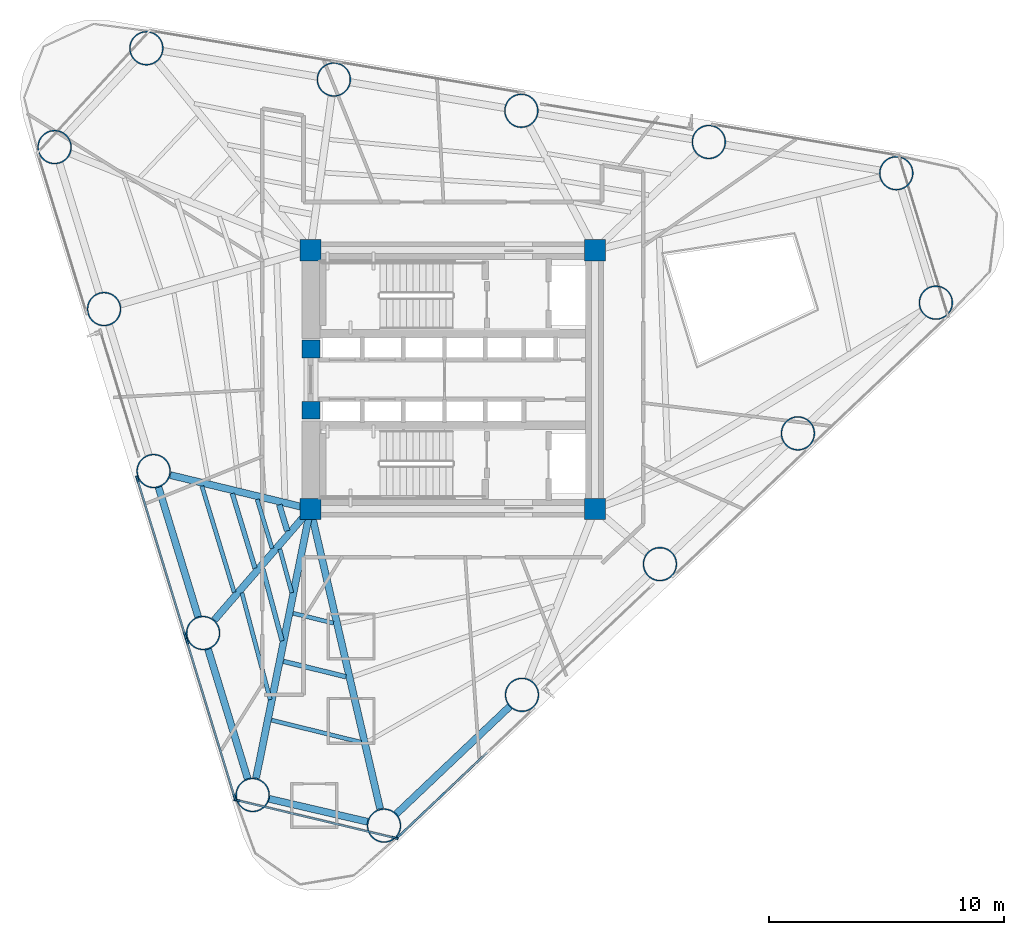
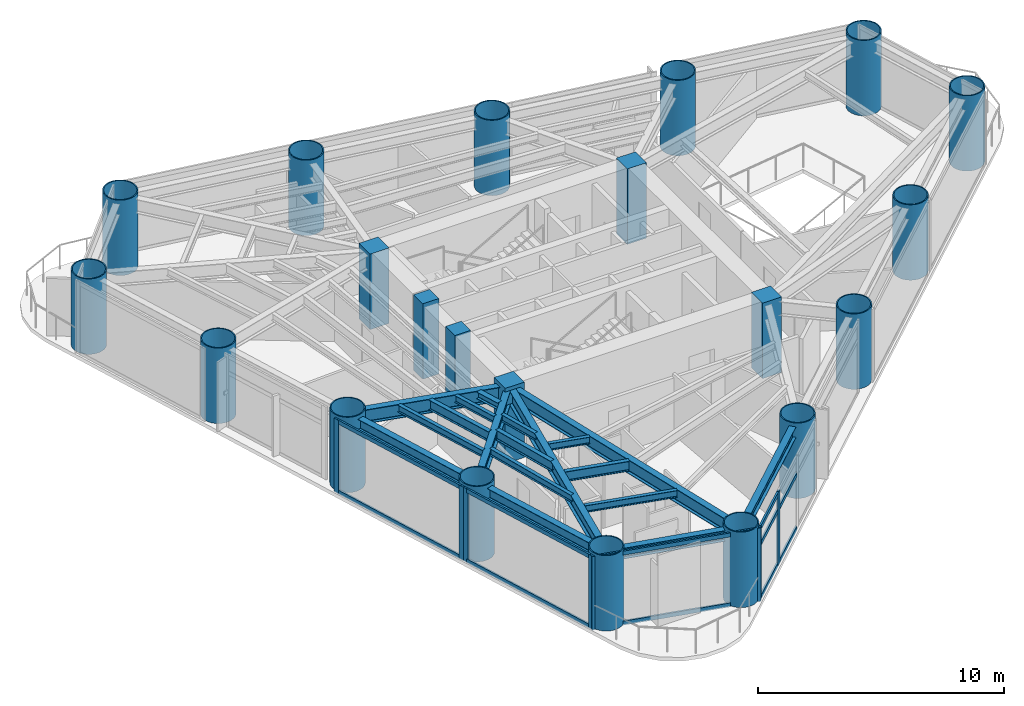
# One storey, part 1 of 10: 21 columns, 19 members, 18 beams, 4 elements without a shape of their own.
"""IFC4 building model written with IfcOpenShell, lengths in metres."""

import ifcopenshell
import ifcopenshell.guid

model = None  # the IFC model being written
_history = None  # IfcOwnerHistory: only IFC2X3 demands one
_inside = {}  # id of a spatial element -> (the spatial element, [elements in it])
_under = {}  # id of a project, library or spatial element -> (it, [spatial elements below it])
_declared = {}  # id of a project -> (the project, [libraries it declares])
_typed = {}  # id of a type object -> (the type object, [elements of that type])
_made_of = {}  # id of a material, layer set ... -> (it, [elements and type objects made of it])


def new_model(schema):
    """Start an empty IFC model of exactly this schema.

    Asked for "IFC4X3", IfcOpenShell would pick the latest addendum, in which some entities
    have other attributes; the version numbers below select the first issue.
    IFC2X3 requires an IfcOwnerHistory on every rooted entity: one is made here for all.
    """
    global model, _history
    if schema == "IFC4X3":
        model = ifcopenshell.file(schema_version=(4, 3, 0, 0))
    else:
        model = ifcopenshell.file(schema=schema)
    _inside.clear()
    _under.clear()
    _declared.clear()
    _typed.clear()
    _made_of.clear()
    _history = None
    if model.schema == "IFC2X3":
        org = make("IfcOrganization", Name="unknown")
        user = make(
            "IfcPersonAndOrganization",
            ThePerson=make("IfcPerson", FamilyName="unknown"),
            TheOrganization=org,
        )
        app = make(
            "IfcApplication",
            ApplicationDeveloper=org,
            Version="unknown",
            ApplicationFullName="unknown",
            ApplicationIdentifier="unknown",
        )
        _history = make(
            "IfcOwnerHistory",
            OwningUser=user,
            OwningApplication=app,
            ChangeAction="ADDED",
            CreationDate=0,
        )
    return model


def make(cls, **values):
    """One entity of the class cls with the attributes given. An attribute that is None is left unset."""
    return model.create_entity(
        cls, **{name: value for name, value in values.items() if value is not None}
    )


def rooted(cls, **values):
    """An entity with a GlobalId (a new one), such as an element, a storey or a relation."""
    return make(cls, GlobalId=ifcopenshell.guid.new(), OwnerHistory=_history, **values)


def si_unit(unit_type, name, prefix=None):
    """IfcSIUnit, for example si_unit("LENGTHUNIT", "METRE", prefix="MILLI")."""
    return make("IfcSIUnit", UnitType=unit_type, Prefix=prefix, Name=name)


def assignment(units):
    """IfcUnitAssignment: the units of a project."""
    return None if units is None else make("IfcUnitAssignment", Units=units)


def point(xyz):
    """IfcCartesianPoint."""
    return None if xyz is None else make("IfcCartesianPoint", Coordinates=xyz)


def direction(xyz):
    """IfcDirection."""
    return None if xyz is None else make("IfcDirection", DirectionRatios=xyz)


def frame(location, z_axis=None, x_axis=None):
    """IfcAxis2Placement3D, a coordinate frame: its origin and axes. An axis left out is left unset."""
    return make(
        "IfcAxis2Placement3D",
        Location=point(location),
        Axis=direction(z_axis),
        RefDirection=direction(x_axis),
    )


def frame_2d(location, x_axis=None):
    """IfcAxis2Placement2D, a coordinate frame in the plane: its origin and x axis."""
    return make(
        "IfcAxis2Placement2D", Location=point(location), RefDirection=direction(x_axis)
    )


def origin():
    """The frame at (0, 0, 0) with its axes left unset."""
    return frame((0.0, 0.0, 0.0))


def origin_2d():
    """The frame at (0, 0) in the plane with its x axis left unset."""
    return frame_2d((0.0, 0.0))


def place(relative_to, where):
    """IfcLocalPlacement: puts the frame where relative to a parent placement (None: the world)."""
    return make(
        "IfcLocalPlacement", PlacementRelTo=relative_to, RelativePlacement=where
    )


def context(
    kind, dimensions, precision=None, world=None, true_north=None, identifier=None
):
    """IfcGeometricRepresentationContext, for example the 3D "Model" context."""
    return make(
        "IfcGeometricRepresentationContext",
        ContextIdentifier=identifier,
        ContextType=kind,
        CoordinateSpaceDimension=dimensions,
        Precision=precision,
        WorldCoordinateSystem=world,
        TrueNorth=true_north,
    )


def subcontext(parent, identifier, kind, view, scale=None):
    """IfcGeometricRepresentationSubContext, for example "Body" below "Model"."""
    return make(
        "IfcGeometricRepresentationSubContext",
        ContextIdentifier=identifier,
        ContextType=kind,
        ParentContext=parent,
        TargetScale=scale,
        TargetView=view,
    )


def project(units=None, contexts=None):
    """IfcProject with its units and contexts."""
    return rooted(
        "IfcProject",
        Name="project",
        RepresentationContexts=contexts,
        UnitsInContext=assignment(units),
    )


def spatial(cls, under=None, at=None, **own):
    """A site, building, storey or space (cls), placed at a placement, below another one or the project."""
    s = rooted(cls, ObjectPlacement=at, **own)
    if under is not None:
        _under.setdefault(under.id(), (under, []))[1].append(s)
    return s


def profile(cls, at=None, kind="AREA", **sizes):
    """A parametric profile (cls). Its sizes go by their IFC names, for example OverallWidth=200.0."""
    return make(cls, ProfileType=kind, Position=at, **sizes)


def rectangle(**sizes):
    """IfcRectangleProfileDef."""
    return profile("IfcRectangleProfileDef", **sizes)


def hollow_circle(**sizes):
    """IfcCircleHollowProfileDef."""
    return profile("IfcCircleHollowProfileDef", **sizes)


def i_section(**sizes):
    """IfcIShapeProfileDef."""
    return profile("IfcIShapeProfileDef", **sizes)


def extrude(swept, where, along, depth):
    """IfcExtrudedAreaSolid: the profile swept, set in the frame where, extruded along a direction by depth."""
    return make(
        "IfcExtrudedAreaSolid",
        SweptArea=swept,
        Position=where,
        ExtrudedDirection=direction(along),
        Depth=depth,
    )


def shape(context_of_items, identifier, shape_type, items):
    """IfcShapeRepresentation: the items that make up one representation, for example the "Body"."""
    return make(
        "IfcShapeRepresentation",
        ContextOfItems=context_of_items,
        RepresentationIdentifier=identifier,
        RepresentationType=shape_type,
        Items=items,
    )


def source(mapping_origin, context_of_items, identifier, shape_type, items):
    """IfcRepresentationMap: a shape defined once, which mapped items show again and again."""
    return make(
        "IfcRepresentationMap",
        MappingOrigin=mapping_origin,
        MappedRepresentation=shape(context_of_items, identifier, shape_type, items),
    )


def transform(
    local_origin,
    x_axis=None,
    y_axis=None,
    z_axis=None,
    scale=None,
    scale2=None,
    scale3=None,
    uniform=True,
):
    """IfcCartesianTransformationOperator3D, or its non-uniform kind. x_axis, y_axis, z_axis: its Axis1, 2, 3."""
    if uniform:
        return make(
            "IfcCartesianTransformationOperator3D",
            Axis1=direction(x_axis),
            Axis2=direction(y_axis),
            LocalOrigin=point(local_origin),
            Scale=scale,
            Axis3=direction(z_axis),
        )
    return make(
        "IfcCartesianTransformationOperator3DnonUniform",
        Axis1=direction(x_axis),
        Axis2=direction(y_axis),
        LocalOrigin=point(local_origin),
        Scale=scale,
        Axis3=direction(z_axis),
        Scale2=scale2,
        Scale3=scale3,
    )


def mapped(mapping_source, mapping_target):
    """IfcMappedItem: shows the shape of a source again, moved by a transform."""
    return make(
        "IfcMappedItem", MappingSource=mapping_source, MappingTarget=mapping_target
    )


def material(Name=None, Category=None):
    """IfcMaterial."""
    return make("IfcMaterial", Name=Name, Category=Category)


def layer(
    of_material, thickness, ventilated=None, Name=None, Category=None, Priority=None
):
    """IfcMaterialLayer: one layer of a wall or slab, of a material (None: an air gap)."""
    return make(
        "IfcMaterialLayer",
        Material=of_material,
        LayerThickness=thickness,
        IsVentilated=ventilated,
        Name=Name,
        Category=Category,
        Priority=Priority,
    )


def layer_set(layers, Name=None):
    """IfcMaterialLayerSet."""
    return make("IfcMaterialLayerSet", MaterialLayers=layers, LayerSetName=Name)


def material_profile(
    of_material, cross_section, Name=None, Category=None, Priority=None
):
    """IfcMaterialProfile: a cross section and its material."""
    return make(
        "IfcMaterialProfile",
        Name=Name,
        Material=of_material,
        Profile=cross_section,
        Priority=Priority,
        Category=Category,
    )


def profile_set(profiles, Name=None, composite=None):
    """IfcMaterialProfileSet."""
    return make(
        "IfcMaterialProfileSet",
        Name=Name,
        MaterialProfiles=profiles,
        CompositeProfile=composite,
    )


def made_of(thing, what):
    """Note that an element or type object is made of a material, layer set ...; save() writes the relation."""
    if what is not None:
        _made_of.setdefault(what.id(), (what, []))[1].append(thing)
    return thing


def type_object(cls, material=None, **own):
    """A type object (cls), such as IfcWallType, which elements share."""
    return made_of(rooted(cls, **own), material)


def element(
    cls,
    number,
    at=None,
    inside=None,
    cuts=None,
    type_object=None,
    material=None,
    context=None,
    identifier="Body",
    shape_type=None,
    held_by="IfcProductDefinitionShape",
    body=None,
    shapes=None,
    **own,
):
    """One element of the class cls, such as IfcWall. Its Tag is "e" and its number.

    at: its placement. inside: the storey or other place that contains it. cuts: it is an
    opening in that element (IfcRelVoidsElement). A single representation is given by context,
    identifier, shape_type and body (its items); several are given by shapes. held_by: the class
    of the entity that holds the representations. save() writes the other relations.
    """
    e = rooted(cls, Tag="e%d" % number, ObjectPlacement=at, **own)
    if body is not None:
        shapes = [shape(context, identifier, shape_type, body)]
    if shapes is not None:
        e.Representation = make(held_by, Representations=shapes)
    if inside is not None:
        _inside.setdefault(inside.id(), (inside, []))[1].append(e)
    if cuts is not None:
        rooted(
            "IfcRelVoidsElement", RelatingBuildingElement=cuts, RelatedOpeningElement=e
        )
    if type_object is not None:
        _typed.setdefault(type_object.id(), (type_object, []))[1].append(e)
    return made_of(e, material)


def aggregate(whole, parts):
    """IfcRelAggregates: a whole, such as a stair, and the parts it consists of."""
    return rooted("IfcRelAggregates", RelatingObject=whole, RelatedObjects=parts)


def save(model, path):
    """Write the relations noted so far, then the file.

    IfcRelAggregates (storeys below a building ...), IfcRelContainedInSpatialStructure (elements
    in a storey), IfcRelDefinesByType, IfcRelAssociatesMaterial and IfcRelDeclares: one each for
    every whole, place, type object, material and project.
    """
    for whole, parts in _under.values():
        aggregate(whole, parts)
    for where, things in _inside.values():
        rooted(
            "IfcRelContainedInSpatialStructure",
            RelatedElements=things,
            RelatingStructure=where,
        )
    for kind, things in _typed.values():
        rooted("IfcRelDefinesByType", RelatedObjects=things, RelatingType=kind)
    for what, things in _made_of.values():
        rooted("IfcRelAssociatesMaterial", RelatedObjects=things, RelatingMaterial=what)
    for by, libraries in _declared.values():
        rooted("IfcRelDeclares", RelatingContext=by, RelatedDefinitions=libraries)
    model.write(path)


model = new_model("IFC4")

# Units and contexts
model_context = context("Model", 3, precision=1e-05, world=origin(), true_north=direction((0.0, 1.0)))
body_context = subcontext(model_context, "Body", "Model", "MODEL_VIEW")
ifc_project = project(units=[si_unit("LENGTHUNIT", "METRE"), si_unit("AREAUNIT", "SQUARE_METRE"), si_unit("VOLUMEUNIT", "CUBIC_METRE"), si_unit("PLANEANGLEUNIT", "RADIAN"), si_unit("MASSUNIT", "GRAM", prefix="KILO")], contexts=[model_context])

# Site, building, storey
site_placement = place(None, origin())
site = spatial("IfcSite", under=ifc_project, at=site_placement, CompositionType="ELEMENT")
building_placement = place(site_placement, origin())
building = spatial("IfcBuilding", under=site, at=building_placement, Name="Yunling Apex Tower", CompositionType="ELEMENT")
storey_placement = place(building_placement, frame((0.0, 0.0, 104.89990234375)))
storey = spatial("IfcBuildingStorey", under=building, at=storey_placement, Name="L26", CompositionType="ELEMENT", Elevation=104.89990234375)

# Columns
ifc_material_1 = material(Name="Concrete C60", Category="concrete")
ifc_material_profile_1 = material_profile(ifc_material_1, rectangle(XDim=0.89990234375, YDim=0.89990234375, at=origin_2d()))
ifc_profile_set_1 = profile_set([ifc_material_profile_1], Name="Concrete C60")
column_type_1 = type_object("IfcColumnType", Name="PC-SRC-3", PredefinedType="COLUMN", material=ifc_profile_set_1)
shared_shape_1 = source(origin(), body_context, "Body", "SweptSolid", [
    extrude(rectangle(XDim=0.89990234375, YDim=0.89990234375, at=origin_2d()), origin(), (0.0, 0.0, 1.0), 3.75),
])
for number, where, z_axis, x_axis, name in (
    (1, (-6.050048828125, -5.5, 0.0), (0.0, 0.0, 1.0), (1.0, 0.0, 0.0), "L26 Core Spine Column CC-SW"),
    (2, (6.050048828125, -5.5, 0.0), (0.0, 0.0, 1.0), (1.0, 0.0, 0.0), "L26 Core Spine Column CC-SE"),
    (3, (6.050048828125, 5.5, 0.0), (0.0, 0.0, 1.0), (1.0, 0.0, 0.0), "L26 Core Spine Column CC-NE"),
    (4, (-6.050048828125, 5.5, 0.0), (0.0, 0.0, 1.0), (1.0, 0.0, 0.0), "L26 Core Spine Column CC-NW"),
):
    element("IfcColumn", number, at=place(storey_placement, frame(where, z_axis=z_axis, x_axis=x_axis)), inside=storey, type_object=column_type_1, Name=name, PredefinedType="COLUMN", context=body_context, shape_type="MappedRepresentation", body=[
        mapped(shared_shape_1, transform((0.0, 0.0, 0.0), scale=1.0)),
    ])
ifc_material_2 = material(Name="Concrete C50", Category="concrete")
ifc_material_profile_2 = material_profile(ifc_material_2, rectangle(XDim=0.75, YDim=0.75, at=origin_2d()))
ifc_profile_set_2 = profile_set([ifc_material_profile_2], Name="Concrete C50")
column_type_2 = type_object("IfcColumnType", Name="PC-SRC-4", PredefinedType="COLUMN", material=ifc_profile_set_2)
shared_shape_2 = source(origin(), body_context, "Body", "SweptSolid", [
    extrude(rectangle(XDim=0.75, YDim=0.75, at=origin_2d()), origin(), (0.0, 0.0, 1.0), 3.75),
])
for number, where, z_axis, x_axis, name in (
    (5, (-6.02490234375, -1.300048828125, 0.0), (0.0, 0.0, 1.0), (1.0, 0.0, 0.0), "L26 Core West Portal Jamb Column S"),
    (6, (-6.02490234375, 1.300048828125, 0.0), (0.0, 0.0, 1.0), (1.0, 0.0, 0.0), "L26 Core West Portal Jamb Column N"),
):
    element("IfcColumn", number, at=place(storey_placement, frame(where, z_axis=z_axis, x_axis=x_axis)), inside=storey, type_object=column_type_2, Name=name, PredefinedType="COLUMN", context=body_context, shape_type="MappedRepresentation", body=[
        mapped(shared_shape_2, transform((0.0, 0.0, 0.0), scale=1.0)),
    ])
ifc_material_3 = material(Name="Steel Q390GJC", Category="steel")
ifc_material_profile_3 = material_profile(ifc_material_3, hollow_circle(Radius=0.72509765625, WallThickness=0.050048828125, at=origin_2d()))
ifc_profile_set_3 = profile_set([ifc_material_profile_3], Name="Steel Q390GJC")
column_type_3 = type_object("IfcColumnType", Name="MC-CFST-2", PredefinedType="COLUMN", material=ifc_profile_set_3)
shared_shape_3 = source(origin(), body_context, "Body", "SweptSolid", [
    extrude(hollow_circle(Radius=0.72509765625, WallThickness=0.050048828125, at=origin_2d()), origin(), (0.0, 0.0, 1.0), 3.75),
])
for number, where, z_axis, x_axis, name in (
    (7, (-2.92138671875, -18.960205078125, 0.0), (0.0, 0.0, 1.0), (1.0, 0.0, 0.0), "L26 Perimeter CFST Mega-Column P01"),
    (8, (2.943359375, -13.40234375, 0.0), (0.0, 0.0, 1.0), (1.0, 0.0, 0.0), "L26 Perimeter CFST Mega-Column P02"),
    (9, (8.80810546875, -7.8447265625, 0.0), (0.0, 0.0, 1.0), (1.0, 0.0, 0.0), "L26 Perimeter CFST Mega-Column P03"),
    (10, (14.6728515625, -2.287109375, 0.0), (0.0, 0.0, 1.0), (1.0, 0.0, 0.0), "L26 Perimeter CFST Mega-Column P04"),
    (11, (20.53759765625, 3.2705078125, 0.0), (0.0, 0.0, 1.0), (1.0, 0.0, 0.0), "L26 Perimeter CFST Mega-Column P05"),
    (12, (18.855224609375, 8.77294921875, 0.0), (0.0, 0.0, 1.0), (1.0, 0.0, 0.0), "L26 Perimeter CFST Mega-Column P06"),
    (13, (10.88525390625, 10.10107421875, 0.0), (0.0, 0.0, 1.0), (1.0, 0.0, 0.0), "L26 Perimeter CFST Mega-Column P07"),
    (14, (2.915283203125, 11.428955078125, 0.0), (0.0, 0.0, 1.0), (1.0, 0.0, 0.0), "L26 Perimeter CFST Mega-Column P08"),
    (15, (-5.054443359375, 12.757080078125, 0.0), (0.0, 0.0, 1.0), (1.0, 0.0, 0.0), "L26 Perimeter CFST Mega-Column P09"),
    (16, (-13.0244140625, 14.0849609375, 0.0), (0.0, 0.0, 1.0), (1.0, 0.0, 0.0), "L26 Perimeter CFST Mega-Column P10"),
    (17, (-16.927490234375, 9.88330078125, 0.0), (0.0, 0.0, 1.0), (1.0, 0.0, 0.0), "L26 Perimeter CFST Mega-Column P11"),
    (18, (-14.822509765625, 2.99755859375, 0.0), (0.0, 0.0, 1.0), (1.0, 0.0, 0.0), "L26 Perimeter CFST Mega-Column P12"),
    (19, (-12.71728515625, -3.887939453125, 0.0), (0.0, 0.0, 1.0), (1.0, 0.0, 0.0), "L26 Perimeter CFST Mega-Column P13"),
    (20, (-10.612060546875, -10.773681640625, 0.0), (0.0, 0.0, 1.0), (1.0, 0.0, 0.0), "L26 Perimeter CFST Mega-Column P14"),
    (21, (-8.5068359375, -17.6591796875, 0.0), (0.0, 0.0, 1.0), (1.0, 0.0, 0.0), "L26 Perimeter CFST Mega-Column P15"),
):
    element("IfcColumn", number, at=place(storey_placement, frame(where, z_axis=z_axis, x_axis=x_axis)), inside=storey, type_object=column_type_3, Name=name, PredefinedType="COLUMN", context=body_context, shape_type="MappedRepresentation", body=[
        mapped(shared_shape_3, transform((0.0, 0.0, 0.0), scale=1.0)),
    ])

# Beams
ifc_material_4 = material(Name="Steel Q355B", Category="steel")
ifc_material_profile_4 = material_profile(ifc_material_4, i_section(OverallWidth=0.300048828125, OverallDepth=0.5400390625, WebThickness=0.011962890625, FlangeThickness=0.02001953125, FilletRadius=0.02392578125, at=origin_2d()))
ifc_profile_set_4 = profile_set([ifc_material_profile_4], Name="Steel Q355B")
beam_type_1 = type_object("IfcBeamType", Name="BP-SPN-1", PredefinedType="SPANDREL", material=ifc_profile_set_4)
shared_shape_4 = source(origin(), body_context, "Body", "SweptSolid", [
    extrude(i_section(OverallWidth=0.300048828125, OverallDepth=0.5400390625, WebThickness=0.011962890625, FlangeThickness=0.02001953125, FilletRadius=0.02392578125, at=origin_2d()), origin(), (0.0, 0.0, 1.0), 6.6416015625),
])
beam_1_placement = place(storey_placement, frame((-2.3994140625, -18.465576171875, 3.295166015625), z_axis=(0.725837728974, 0.68786596892, 0.0), x_axis=(-0.68786596892, 0.725837728974, 0.0)))
element("IfcBeam", 22, at=beam_1_placement, inside=storey, type_object=beam_type_1, Name="L26 Perimeter Spandrel Beam 1", PredefinedType="SPANDREL", context=body_context, shape_type="MappedRepresentation", body=[
    mapped(shared_shape_4, transform((0.0, 0.0, 0.0), scale=1.0)),
])
shared_shape_5 = source(origin(), body_context, "Body", "SweptSolid", [
    extrude(i_section(OverallWidth=0.300048828125, OverallDepth=0.5400390625, WebThickness=0.011962890625, FlangeThickness=0.02001953125, FilletRadius=0.02392578125, at=origin_2d()), origin(), (0.0, 0.0, 1.0), 5.76220703125),
])
for number, where, z_axis, x_axis, name in (
    (23, (-12.507080078125, -4.57568359375, 3.295166015625), (0.292385374143, -0.956300576695, 0.0), (0.956300576695, 0.292385374143, 0.0), "L26 Perimeter Spandrel Beam 13"),
    (24, (-10.40185546875, -11.461181640625, 3.295166015625), (0.292385374143, -0.956300576695, 0.0), (0.956300576695, 0.292385374143, 0.0), "L26 Perimeter Spandrel Beam 14"),
):
    element("IfcBeam", number, at=place(storey_placement, frame(where, z_axis=z_axis, x_axis=x_axis)), inside=storey, type_object=beam_type_1, Name=name, PredefinedType="SPANDREL", context=body_context, shape_type="MappedRepresentation", body=[
        mapped(shared_shape_5, transform((0.0, 0.0, 0.0), scale=1.0)),
    ])
shared_shape_6 = source(origin(), body_context, "Body", "SweptSolid", [
    extrude(i_section(OverallWidth=0.300048828125, OverallDepth=0.5400390625, WebThickness=0.011962890625, FlangeThickness=0.02001953125, FilletRadius=0.02392578125, at=origin_2d()), origin(), (0.0, 0.0, 1.0), 4.297119140625),
])
beam_2_placement = place(storey_placement, frame((-7.806640625, -17.822509765625, 3.295166015625), z_axis=(0.973939184954, -0.226809312002, 0.0), x_axis=(0.226809312002, 0.973939184954, 0.0)))
element("IfcBeam", 25, at=beam_2_placement, inside=storey, type_object=beam_type_1, Name="L26 Perimeter Spandrel Beam 15", PredefinedType="SPANDREL", context=body_context, shape_type="MappedRepresentation", body=[
    mapped(shared_shape_6, transform((0.0, 0.0, 0.0), scale=1.0)),
])
ifc_material_profile_5 = material_profile(ifc_material_4, i_section(OverallWidth=0.300048828125, OverallDepth=0.699951171875, WebThickness=0.012939453125, FlangeThickness=0.02392578125, FilletRadius=0.02587890625, at=origin_2d()))
ifc_profile_set_5 = profile_set([ifc_material_profile_5], Name="Steel Q355B")
beam_type_2 = type_object("IfcBeamType", Name="BG-PRI-3", PredefinedType="USERDEFINED", material=ifc_profile_set_5)
shared_shape_7 = source(origin(), body_context, "Body", "SweptSolid", [
    extrude(i_section(OverallWidth=0.300048828125, OverallDepth=0.699951171875, WebThickness=0.012939453125, FlangeThickness=0.02392578125, FilletRadius=0.02587890625, at=origin_2d()), origin(), (0.0, 0.0, 1.0), 13.005859375),
])
beam_3_placement = place(storey_placement, frame((-3.08740234375, -18.24609375, 3.215087890625), z_axis=(-0.226402915749, 0.974033736449, 0.0), x_axis=(-0.974033736449, -0.226402915749, 0.0)))
element("IfcBeam", 26, at=beam_3_placement, inside=storey, type_object=beam_type_2, Name="L26 Radial Primary Girder R01", ObjectType="GIRDER", PredefinedType="USERDEFINED", context=body_context, shape_type="MappedRepresentation", body=[
    mapped(shared_shape_7, transform((0.0, 0.0, 0.0), scale=1.0)),
])
shared_shape_8 = source(origin(), body_context, "Body", "SweptSolid", [
    extrude(i_section(OverallWidth=0.300048828125, OverallDepth=0.699951171875, WebThickness=0.012939453125, FlangeThickness=0.02392578125, FilletRadius=0.02587890625, at=origin_2d()), origin(), (0.0, 0.0, 1.0), 6.046630859375),
])
beam_4_placement = place(storey_placement, frame((-12.0048828125, -4.060302734375, 3.215087890625), z_axis=(0.971996717199, -0.234994429199, 0.0), x_axis=(0.234994429199, 0.971996717199, 0.0)))
element("IfcBeam", 27, at=beam_4_placement, inside=storey, type_object=beam_type_2, Name="L26 Radial Primary Girder R13", ObjectType="GIRDER", PredefinedType="USERDEFINED", context=body_context, shape_type="MappedRepresentation", body=[
    mapped(shared_shape_8, transform((0.0, 0.0, 0.0), scale=1.0)),
])
shared_shape_9 = source(origin(), body_context, "Body", "SweptSolid", [
    extrude(i_section(OverallWidth=0.300048828125, OverallDepth=0.699951171875, WebThickness=0.012939453125, FlangeThickness=0.02392578125, FilletRadius=0.02587890625, at=origin_2d()), origin(), (0.0, 0.0, 1.0), 6.16015625),
])
beam_5_placement = place(storey_placement, frame((-10.132568359375, -10.21923828125, 3.215087890625), z_axis=(0.654257326822, 0.756272008142, 0.0), x_axis=(-0.756272008142, 0.654257326822, 0.0)))
element("IfcBeam", 28, at=beam_5_placement, inside=storey, type_object=beam_type_2, Name="L26 Radial Primary Girder R14", ObjectType="GIRDER", PredefinedType="USERDEFINED", context=body_context, shape_type="MappedRepresentation", body=[
    mapped(shared_shape_9, transform((0.0, 0.0, 0.0), scale=1.0)),
])
shared_shape_10 = source(origin(), body_context, "Body", "SweptSolid", [
    extrude(i_section(OverallWidth=0.300048828125, OverallDepth=0.699951171875, WebThickness=0.012939453125, FlangeThickness=0.02392578125, FilletRadius=0.02587890625, at=origin_2d()), origin(), (0.0, 0.0, 1.0), 11.59228515625),
])
beam_6_placement = place(storey_placement, frame((-8.36181640625, -16.94091796875, 3.215087890625), z_axis=(0.198055775124, 0.980190751813, 0.0), x_axis=(-0.980190751813, 0.198055775124, 0.0)))
element("IfcBeam", 29, at=beam_6_placement, inside=storey, type_object=beam_type_2, Name="L26 Radial Primary Girder R15", ObjectType="GIRDER", PredefinedType="USERDEFINED", context=body_context, shape_type="MappedRepresentation", body=[
    mapped(shared_shape_10, transform((0.0, 0.0, 0.0), scale=1.0)),
])
ifc_material_profile_6 = material_profile(ifc_material_4, i_section(OverallWidth=0.199951171875, OverallDepth=0.5, WebThickness=0.010009765625, FlangeThickness=0.01611328125, FilletRadius=0.02001953125, at=origin_2d()))
ifc_profile_set_6 = profile_set([ifc_material_profile_6], Name="Steel Q355B")
beam_type_3 = type_object("IfcBeamType", Name="BS-SEC-2", PredefinedType="BEAM", material=ifc_profile_set_6)
shared_shape_11 = source(origin(), body_context, "Body", "SweptSolid", [
    extrude(i_section(OverallWidth=0.199951171875, OverallDepth=0.5, WebThickness=0.010009765625, FlangeThickness=0.01611328125, FilletRadius=0.02001953125, at=origin_2d()), origin(), (0.0, 0.0, 1.0), 3.321533203125),
])
beam_7_placement = place(storey_placement, frame((-9.372314453125, -4.838623046875, 3.315185546875), z_axis=(0.291000743066, -0.956722826912, 0.0), x_axis=(0.956722826912, 0.291000743066, 0.0)))
element("IfcBeam", 30, at=beam_7_placement, inside=storey, type_object=beam_type_3, Name="L26 Composite Floor Beam BS-13", PredefinedType="BEAM", context=body_context, shape_type="MappedRepresentation", body=[
    mapped(shared_shape_11, transform((0.0, 0.0, 0.0), scale=1.0)),
])
ifc_material_profile_7 = material_profile(ifc_material_4, i_section(OverallWidth=0.175048828125, OverallDepth=0.35009765625, WebThickness=0.007080078125, FlangeThickness=0.010986328125, FilletRadius=0.013916015625, at=origin_2d()))
ifc_profile_set_7 = profile_set([ifc_material_profile_7], Name="Steel Q355B")
beam_type_4 = type_object("IfcBeamType", Name="BJ-JST-1", PredefinedType="JOIST", material=ifc_profile_set_7)
shared_shape_12 = source(origin(), body_context, "Body", "SweptSolid", [
    extrude(i_section(OverallWidth=0.175048828125, OverallDepth=0.35009765625, WebThickness=0.007080078125, FlangeThickness=0.010986328125, FilletRadius=0.013916015625, at=origin_2d()), origin(), (0.0, 0.0, 1.0), 4.719482421875),
])
beam_8_placement = place(storey_placement, frame((-10.665283203125, -4.52587890625, 3.39013671875), z_axis=(0.290881649014, -0.95675904295, 0.0), x_axis=(0.95675904295, 0.290881649014, 0.0)))
element("IfcBeam", 31, at=beam_8_placement, inside=storey, type_object=beam_type_4, Name="L26 Composite Floor Joist BJ1-13", PredefinedType="JOIST", context=body_context, shape_type="MappedRepresentation", body=[
    mapped(shared_shape_12, transform((0.0, 0.0, 0.0), scale=1.0)),
])
shared_shape_13 = source(origin(), body_context, "Body", "SweptSolid", [
    extrude(i_section(OverallWidth=0.175048828125, OverallDepth=0.35009765625, WebThickness=0.007080078125, FlangeThickness=0.010986328125, FilletRadius=0.013916015625, at=origin_2d()), origin(), (0.0, 0.0, 1.0), 2.177734375),
])
beam_9_placement = place(storey_placement, frame((-8.314453125, -5.09423828125, 3.39013671875), z_axis=(0.291130389824, -0.956683383425, 0.0), x_axis=(0.956683383425, 0.291130389824, 0.0)))
element("IfcBeam", 32, at=beam_9_placement, inside=storey, type_object=beam_type_4, Name="L26 Composite Floor Joist BJ3-13", PredefinedType="JOIST", context=body_context, shape_type="MappedRepresentation", body=[
    mapped(shared_shape_13, transform((0.0, 0.0, 0.0), scale=1.0)),
])
ifc_material_profile_8 = material_profile(ifc_material_4, i_section(OverallWidth=0.25, OverallDepth=0.340087890625, WebThickness=0.009033203125, FlangeThickness=0.013916015625, FilletRadius=0.01806640625, at=origin_2d()))
ifc_profile_set_8 = profile_set([ifc_material_profile_8], Name="Steel Q355B")
beam_type_5 = type_object("IfcBeamType", Name="BJ-JST-2", PredefinedType="JOIST", material=ifc_profile_set_8)
shared_shape_14 = source(origin(), body_context, "Body", "SweptSolid", [
    extrude(i_section(OverallWidth=0.25, OverallDepth=0.340087890625, WebThickness=0.009033203125, FlangeThickness=0.013916015625, FilletRadius=0.01806640625, at=origin_2d()), origin(), (0.0, 0.0, 1.0), 1.160888671875),
])
beam_10_placement = place(storey_placement, frame((-7.3740234375, -5.32177734375, 3.39501953125), z_axis=(0.291454472577, -0.956584701119, 0.0), x_axis=(0.956584701119, 0.291454472577, 0.0)))
element("IfcBeam", 33, at=beam_10_placement, inside=storey, type_object=beam_type_5, Name="L26 Composite Floor Joist BJ2-13", PredefinedType="JOIST", context=body_context, shape_type="MappedRepresentation", body=[
    mapped(shared_shape_14, transform((0.0, 0.0, 0.0), scale=1.0)),
])
shared_shape_15 = source(origin(), body_context, "Body", "SweptSolid", [
    extrude(i_section(OverallWidth=0.199951171875, OverallDepth=0.5, WebThickness=0.010009765625, FlangeThickness=0.01611328125, FilletRadius=0.02001953125, at=origin_2d()), origin(), (0.0, 0.0, 1.0), 3.168701171875),
])
beam_11_placement = place(storey_placement, frame((-8.075927734375, -8.04443359375, 3.315185546875), z_axis=(0.259033901524, -0.965868230071, 0.0), x_axis=(0.965868230071, 0.259033901524, 0.0)))
element("IfcBeam", 34, at=beam_11_placement, inside=storey, type_object=beam_type_3, Name="L26 Composite Floor Beam BS-14", PredefinedType="BEAM", context=body_context, shape_type="MappedRepresentation", body=[
    mapped(shared_shape_15, transform((0.0, 0.0, 0.0), scale=1.0)),
])
shared_shape_16 = source(origin(), body_context, "Body", "SweptSolid", [
    extrude(i_section(OverallWidth=0.175048828125, OverallDepth=0.35009765625, WebThickness=0.007080078125, FlangeThickness=0.010986328125, FilletRadius=0.013916015625, at=origin_2d()), origin(), (0.0, 0.0, 1.0), 4.69189453125),
])
beam_12_placement = place(storey_placement, frame((-8.962890625, -9.069580078125, 3.39013671875), z_axis=(0.256370213066, -0.966578664079, 0.0), x_axis=(0.966578664079, 0.256370213066, 0.0)))
element("IfcBeam", 35, at=beam_12_placement, inside=storey, type_object=beam_type_4, Name="L26 Composite Floor Joist BJ1-14", PredefinedType="JOIST", context=body_context, shape_type="MappedRepresentation", body=[
    mapped(shared_shape_16, transform((0.0, 0.0, 0.0), scale=1.0)),
])
shared_shape_17 = source(origin(), body_context, "Body", "SweptSolid", [
    extrude(i_section(OverallWidth=0.175048828125, OverallDepth=0.35009765625, WebThickness=0.007080078125, FlangeThickness=0.010986328125, FilletRadius=0.013916015625, at=origin_2d()), origin(), (0.0, 0.0, 1.0), 1.92236328125),
])
beam_13_placement = place(storey_placement, frame((-7.349853515625, -7.205810546875, 3.39013671875), z_axis=(0.263783616245, -0.964581880299, 0.0), x_axis=(0.964581880299, 0.263783616245, 0.0)))
element("IfcBeam", 36, at=beam_13_placement, inside=storey, type_object=beam_type_4, Name="L26 Composite Floor Joist BJ3-14", PredefinedType="JOIST", context=body_context, shape_type="MappedRepresentation", body=[
    mapped(shared_shape_17, transform((0.0, 0.0, 0.0), scale=1.0)),
])
shared_shape_18 = source(origin(), body_context, "Body", "SweptSolid", [
    extrude(i_section(OverallWidth=0.199951171875, OverallDepth=0.5, WebThickness=0.010009765625, FlangeThickness=0.01611328125, FilletRadius=0.02001953125, at=origin_2d()), origin(), (0.0, 0.0, 1.0), 2.737060546875),
])
beam_14_placement = place(storey_placement, frame((-7.196044921875, -11.9794921875, 3.315185546875), z_axis=(0.971007234619, -0.239050100016, 0.0), x_axis=(0.239050100016, 0.971007234619, 0.0)))
element("IfcBeam", 37, at=beam_14_placement, inside=storey, type_object=beam_type_3, Name="L26 Composite Floor Beam BS-15", PredefinedType="BEAM", context=body_context, shape_type="MappedRepresentation", body=[
    mapped(shared_shape_18, transform((0.0, 0.0, 0.0), scale=1.0)),
])
shared_shape_19 = source(origin(), body_context, "Body", "SweptSolid", [
    extrude(i_section(OverallWidth=0.175048828125, OverallDepth=0.35009765625, WebThickness=0.007080078125, FlangeThickness=0.010986328125, FilletRadius=0.013916015625, at=origin_2d()), origin(), (0.0, 0.0, 1.0), 3.925537109375),
])
beam_15_placement = place(storey_placement, frame((-7.701416015625, -14.4794921875, 3.39013671875), z_axis=(0.970833614746, -0.239754233494, 0.0), x_axis=(0.239754233494, 0.970833614746, 0.0)))
element("IfcBeam", 38, at=beam_15_placement, inside=storey, type_object=beam_type_4, Name="L26 Composite Floor Joist BJ1-15", PredefinedType="JOIST", context=body_context, shape_type="MappedRepresentation", body=[
    mapped(shared_shape_19, transform((0.0, 0.0, 0.0), scale=1.0)),
])
shared_shape_20 = source(origin(), body_context, "Body", "SweptSolid", [
    extrude(i_section(OverallWidth=0.175048828125, OverallDepth=0.35009765625, WebThickness=0.007080078125, FlangeThickness=0.010986328125, FilletRadius=0.013916015625, at=origin_2d()), origin(), (0.0, 0.0, 1.0), 1.764892578125),
])
beam_16_placement = place(storey_placement, frame((-6.78271484375, -9.93408203125, 3.39013671875), z_axis=(0.971318830932, -0.237780841694, 0.0), x_axis=(0.237780841694, 0.971318830932, 0.0)))
element("IfcBeam", 39, at=beam_16_placement, inside=storey, type_object=beam_type_4, Name="L26 Composite Floor Joist BJ3-15", PredefinedType="JOIST", context=body_context, shape_type="MappedRepresentation", body=[
    mapped(shared_shape_20, transform((0.0, 0.0, 0.0), scale=1.0)),
])

# Curtain wall, members
ifc_material_5 = material(Name="Bronze anodised aluminium", Category="aluminium")
ifc_layer = layer(ifc_material_5, 0.260009765625)
ifc_layer_set = layer_set([ifc_layer], Name="Bronze anodised aluminium")
curtain_wall_type = type_object("IfcCurtainWallType", Name="CW-SYS-2", PredefinedType="NOTDEFINED", material=ifc_layer_set)
curtain_wall_1_placement = place(storey_placement, origin())
curtain_wall_1 = element("IfcCurtainWall", 40, at=curtain_wall_1_placement, inside=storey, type_object=curtain_wall_type, Name="CW-L26-F1-B1", PredefinedType="NOTDEFINED")
ifc_material_profile_9 = material_profile(ifc_material_5, rectangle(XDim=0.0849609375, YDim=0.260009765625, at=origin_2d()))
ifc_profile_set_9 = profile_set([ifc_material_profile_9], Name="Bronze anodised aluminium")
member_type_1 = type_object("IfcMemberType", Name="CW-MUL-2", PredefinedType="MULLION", material=ifc_profile_set_9)
shared_shape_21 = source(origin(), body_context, "Body", "SweptSolid", [
    extrude(rectangle(XDim=0.0849609375, YDim=0.260009765625, at=origin_2d()), origin(), (0.0, 0.0, 1.0), 3.664794921875),
])
member_1_placement = place(storey_placement, frame((-2.3095703125, -19.427490234375, -0.0498046875), z_axis=(0.0, 0.0, 1.0), x_axis=(-0.687861264918, 0.72584218686, 0.0)))
member_1 = element("IfcMember", 41, at=member_1_placement, type_object=member_type_1, Name="CW-SYS-2 mullion 1", PredefinedType="MULLION", context=body_context, shape_type="MappedRepresentation", body=[
    mapped(shared_shape_21, transform((0.0, 0.0, 0.0), scale=1.0)),
])
member_2_placement = place(storey_placement, frame((-0.42431640625, -17.640869140625, -0.0498046875), z_axis=(0.0, 0.0, 1.0), x_axis=(-0.687861264918, 0.72584218686, 0.0)))
member_2 = element("IfcMember", 42, at=member_2_placement, type_object=member_type_1, Name="CW-SYS-2 mullion 2", PredefinedType="MULLION", context=body_context, shape_type="MappedRepresentation", body=[
    mapped(shared_shape_21, transform((0.0, 0.0, 0.0), scale=1.0)),
])

curtain_wall_2_placement = place(storey_placement, origin())
curtain_wall_2 = element("IfcCurtainWall", 43, at=curtain_wall_2_placement, inside=storey, type_object=curtain_wall_type, Name="CW-L26-F3-B3", PredefinedType="NOTDEFINED")
member_3_placement = place(storey_placement, frame((-13.408203125, -4.227294921875, -0.0498046875), z_axis=(0.0, 0.0, 1.0), x_axis=(0.956304476342, 0.292372619321, 0.0)))
member_3 = element("IfcMember", 44, at=member_3_placement, type_object=member_type_1, Name="CW-SYS-2 mullion 1", PredefinedType="MULLION", context=body_context, shape_type="MappedRepresentation", body=[
    mapped(shared_shape_21, transform((0.0, 0.0, 0.0), scale=1.0)),
])
member_4_placement = place(storey_placement, frame((-11.374755859375, -10.878662109375, -0.0498046875), z_axis=(0.0, 0.0, 1.0), x_axis=(0.956304476342, 0.292372619321, 0.0)))
member_4 = element("IfcMember", 45, at=member_4_placement, type_object=member_type_1, Name="CW-SYS-2 mullion 2", PredefinedType="MULLION", context=body_context, shape_type="MappedRepresentation", body=[
    mapped(shared_shape_21, transform((0.0, 0.0, 0.0), scale=1.0)),
])

curtain_wall_3_placement = place(storey_placement, origin())
curtain_wall_3 = element("IfcCurtainWall", 46, at=curtain_wall_3_placement, inside=storey, type_object=curtain_wall_type, Name="CW-L26-F3-B4", PredefinedType="NOTDEFINED")
member_5_placement = place(storey_placement, frame((-11.302978515625, -11.113037109375, -0.0498046875), z_axis=(0.0, 0.0, 1.0), x_axis=(0.956304476342, 0.292372619321, 0.0)))
member_5 = element("IfcMember", 47, at=member_5_placement, type_object=member_type_1, Name="CW-SYS-2 mullion 1", PredefinedType="MULLION", context=body_context, shape_type="MappedRepresentation", body=[
    mapped(shared_shape_21, transform((0.0, 0.0, 0.0), scale=1.0)),
])
member_6_placement = place(storey_placement, frame((-9.26953125, -17.764404296875, -0.0498046875), z_axis=(0.0, 0.0, 1.0), x_axis=(0.956304476342, 0.292372619321, 0.0)))
member_6 = element("IfcMember", 48, at=member_6_placement, type_object=member_type_1, Name="CW-SYS-2 mullion 2", PredefinedType="MULLION", context=body_context, shape_type="MappedRepresentation", body=[
    mapped(shared_shape_21, transform((0.0, 0.0, 0.0), scale=1.0)),
])

curtain_wall_4_placement = place(storey_placement, origin())
curtain_wall_4 = element("IfcCurtainWall", 49, at=curtain_wall_4_placement, inside=storey, type_object=curtain_wall_type, Name="CW-L26-CRN3", PredefinedType="NOTDEFINED")
member_7_placement = place(storey_placement, frame((-9.17333984375, -17.885498046875, -0.0498046875), z_axis=(0.0, 0.0, 1.0), x_axis=(0.23189504865, 0.972740811528, 0.0)))
member_7 = element("IfcMember", 50, at=member_7_placement, type_object=member_type_1, Name="CW-SYS-2 mullion 1", PredefinedType="MULLION", context=body_context, shape_type="MappedRepresentation", body=[
    mapped(shared_shape_21, transform((0.0, 0.0, 0.0), scale=1.0)),
])
member_8_placement = place(storey_placement, frame((-2.453857421875, -19.487548828125, -0.0498046875), z_axis=(0.0, 0.0, 1.0), x_axis=(0.23189504865, 0.972740811528, 0.0)))
member_8 = element("IfcMember", 51, at=member_8_placement, type_object=member_type_1, Name="CW-SYS-2 mullion 2", PredefinedType="MULLION", context=body_context, shape_type="MappedRepresentation", body=[
    mapped(shared_shape_21, transform((0.0, 0.0, 0.0), scale=1.0)),
])

# Member
ifc_material_profile_10 = material_profile(ifc_material_5, rectangle(XDim=0.0849609375, YDim=0.199951171875, at=origin_2d()))
ifc_profile_set_10 = profile_set([ifc_material_profile_10], Name="Bronze anodised aluminium")
member_type_2 = type_object("IfcMemberType", Name="CW-TRN-2", PredefinedType="USERDEFINED", material=ifc_profile_set_10)
shared_shape_22 = source(origin(), body_context, "Body", "SweptSolid", [
    extrude(rectangle(XDim=0.0849609375, YDim=0.199951171875, at=origin_2d()), origin(), (0.0, 0.0, 1.0), 2.52099609375),
])
member_9_placement = place(storey_placement, frame((-2.281982421875, -19.4013671875, 0.04248046875), z_axis=(0.725833069148, 0.687870885945, 0.0), x_axis=(-0.687870885945, 0.725833069148, 0.0)))
member_9 = element("IfcMember", 52, at=member_9_placement, type_object=member_type_2, Name="CW-SYS-2 transom 1.1", ObjectType="TRANSOM", PredefinedType="USERDEFINED", context=body_context, shape_type="MappedRepresentation", body=[
    mapped(shared_shape_22, transform((0.0, 0.0, 0.0), scale=1.0)),
])

member_10_placement = place(storey_placement, frame((-2.281982421875, -19.4013671875, 2.715087890625), z_axis=(0.725833069148, 0.687870885945, 0.0), x_axis=(-0.687870885945, 0.725833069148, 0.0)))
member_10 = element("IfcMember", 53, at=member_10_placement, type_object=member_type_2, Name="CW-SYS-2 transom 1.2", ObjectType="TRANSOM", PredefinedType="USERDEFINED", context=body_context, shape_type="MappedRepresentation", body=[
    mapped(shared_shape_22, transform((0.0, 0.0, 0.0), scale=1.0)),
])

member_11_placement = place(storey_placement, frame((-2.281982421875, -19.4013671875, 3.522705078125), z_axis=(0.725833069148, 0.687870885945, 0.0), x_axis=(-0.687870885945, 0.725833069148, 0.0)))
member_11 = element("IfcMember", 54, at=member_11_placement, type_object=member_type_2, Name="CW-SYS-2 transom 1.3", ObjectType="TRANSOM", PredefinedType="USERDEFINED", context=body_context, shape_type="MappedRepresentation", body=[
    mapped(shared_shape_22, transform((0.0, 0.0, 0.0), scale=1.0)),
])

shared_shape_23 = source(origin(), body_context, "Body", "SweptSolid", [
    extrude(rectangle(XDim=0.0849609375, YDim=0.199951171875, at=origin_2d()), origin(), (0.0, 0.0, 1.0), 2.563232421875),
])
member_12_placement = place(storey_placement, frame((-0.396484375, -17.614501953125, 0.04248046875), z_axis=(0.725852566003, 0.687850312515, 0.0), x_axis=(-0.687850312515, 0.725852566003, 0.0)))
member_12 = element("IfcMember", 55, at=member_12_placement, type_object=member_type_2, Name="CW-SYS-2 transom 2.1", ObjectType="TRANSOM", PredefinedType="USERDEFINED", context=body_context, shape_type="MappedRepresentation", body=[
    mapped(shared_shape_23, transform((0.0, 0.0, 0.0), scale=1.0)),
])

member_13_placement = place(storey_placement, frame((-0.396484375, -17.614501953125, 2.715087890625), z_axis=(0.725852566003, 0.687850312515, 0.0), x_axis=(-0.687850312515, 0.725852566003, 0.0)))
member_13 = element("IfcMember", 56, at=member_13_placement, type_object=member_type_2, Name="CW-SYS-2 transom 2.2", ObjectType="TRANSOM", PredefinedType="USERDEFINED", context=body_context, shape_type="MappedRepresentation", body=[
    mapped(shared_shape_23, transform((0.0, 0.0, 0.0), scale=1.0)),
])

aggregate(curtain_wall_1, [member_1, member_2, member_9, member_10, member_11, member_12, member_13])

shared_shape_24 = source(origin(), body_context, "Body", "SweptSolid", [
    extrude(rectangle(XDim=0.0849609375, YDim=0.199951171875, at=origin_2d()), origin(), (0.0, 0.0, 1.0), 6.831298828125),
])
member_14_placement = place(storey_placement, frame((-9.135986328125, -17.89453125, 0.04248046875), z_axis=(0.972745593735, -0.231874987587, 0.0), x_axis=(0.231874987587, 0.972745593735, 0.0)))
member_14 = element("IfcMember", 57, at=member_14_placement, type_object=member_type_2, Name="CW-SYS-2 transom 1.1", ObjectType="TRANSOM", PredefinedType="USERDEFINED", context=body_context, shape_type="MappedRepresentation", body=[
    mapped(shared_shape_24, transform((0.0, 0.0, 0.0), scale=1.0)),
])

member_15_placement = place(storey_placement, frame((-9.135986328125, -17.89453125, 3.522705078125), z_axis=(0.972745593735, -0.231874987587, 0.0), x_axis=(0.231874987587, 0.972745593735, 0.0)))
member_15 = element("IfcMember", 58, at=member_15_placement, type_object=member_type_2, Name="CW-SYS-2 transom 1.2", ObjectType="TRANSOM", PredefinedType="USERDEFINED", context=body_context, shape_type="MappedRepresentation", body=[
    mapped(shared_shape_24, transform((0.0, 0.0, 0.0), scale=1.0)),
])

aggregate(curtain_wall_4, [member_7, member_8, member_14, member_15])

shared_shape_25 = source(origin(), body_context, "Body", "SweptSolid", [
    extrude(rectangle(XDim=0.0849609375, YDim=0.199951171875, at=origin_2d()), origin(), (0.0, 0.0, 1.0), 6.878662109375),
])
member_16_placement = place(storey_placement, frame((-11.2919921875, -11.149658203125, 0.04248046875), z_axis=(0.29238444517, -0.956300860725, 0.0), x_axis=(0.956300860725, 0.29238444517, 0.0)))
member_16 = element("IfcMember", 59, at=member_16_placement, type_object=member_type_2, Name="CW-SYS-2 transom 1.1", ObjectType="TRANSOM", PredefinedType="USERDEFINED", context=body_context, shape_type="MappedRepresentation", body=[
    mapped(shared_shape_25, transform((0.0, 0.0, 0.0), scale=1.0)),
])

member_17_placement = place(storey_placement, frame((-11.2919921875, -11.149658203125, 3.522705078125), z_axis=(0.29238444517, -0.956300860725, 0.0), x_axis=(0.956300860725, 0.29238444517, 0.0)))
member_17 = element("IfcMember", 60, at=member_17_placement, type_object=member_type_2, Name="CW-SYS-2 transom 1.2", ObjectType="TRANSOM", PredefinedType="USERDEFINED", context=body_context, shape_type="MappedRepresentation", body=[
    mapped(shared_shape_25, transform((0.0, 0.0, 0.0), scale=1.0)),
])

aggregate(curtain_wall_3, [member_5, member_6, member_16, member_17])

shared_shape_26 = source(origin(), body_context, "Body", "SweptSolid", [
    extrude(rectangle(XDim=0.0849609375, YDim=0.199951171875, at=origin_2d()), origin(), (0.0, 0.0, 1.0), 6.87890625),
])
member_18_placement = place(storey_placement, frame((-13.39697265625, -4.263916015625, 0.04248046875), z_axis=(0.29234206402, -0.956313817533, 0.0), x_axis=(0.956313817533, 0.29234206402, 0.0)))
member_18 = element("IfcMember", 61, at=member_18_placement, type_object=member_type_2, Name="CW-SYS-2 transom 1.1", ObjectType="TRANSOM", PredefinedType="USERDEFINED", context=body_context, shape_type="MappedRepresentation", body=[
    mapped(shared_shape_26, transform((0.0, 0.0, 0.0), scale=1.0)),
])

member_19_placement = place(storey_placement, frame((-13.39697265625, -4.263916015625, 3.522705078125), z_axis=(0.29234206402, -0.956313817533, 0.0), x_axis=(0.956313817533, 0.29234206402, 0.0)))
member_19 = element("IfcMember", 62, at=member_19_placement, type_object=member_type_2, Name="CW-SYS-2 transom 1.2", ObjectType="TRANSOM", PredefinedType="USERDEFINED", context=body_context, shape_type="MappedRepresentation", body=[
    mapped(shared_shape_26, transform((0.0, 0.0, 0.0), scale=1.0)),
])

aggregate(curtain_wall_2, [member_3, member_4, member_18, member_19])

save(model, "model.ifc")
